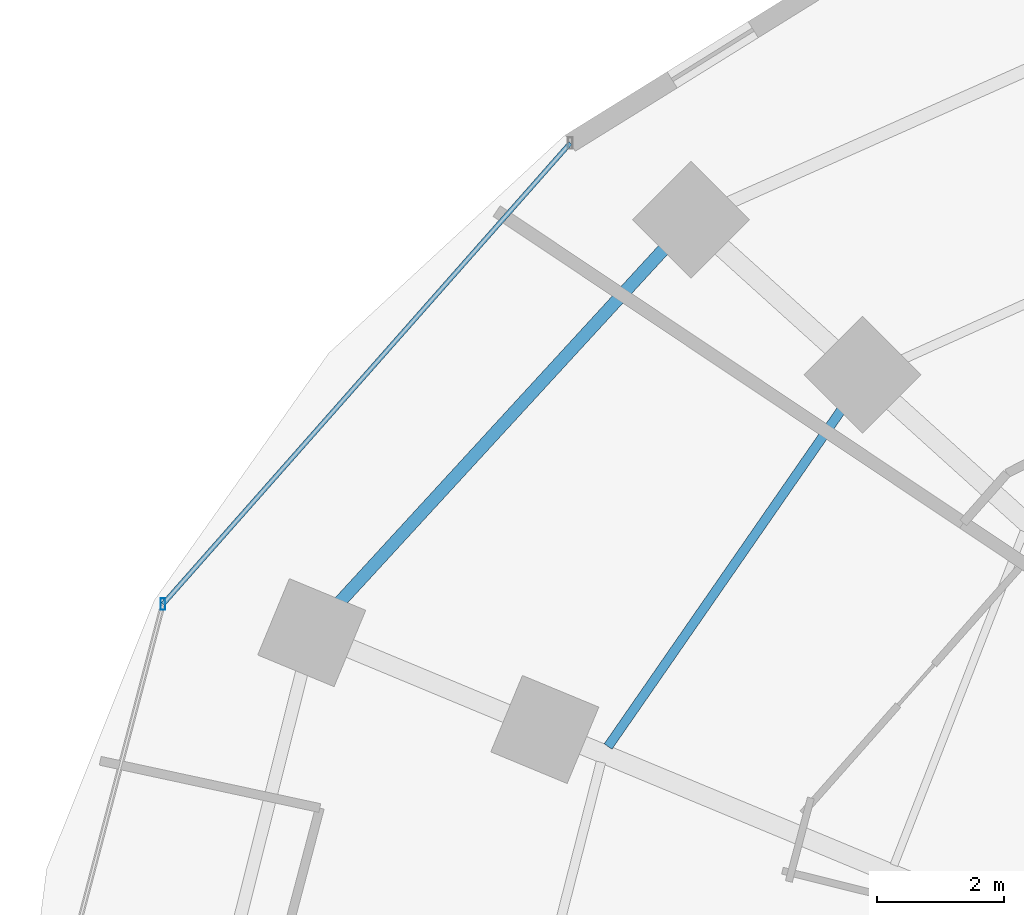
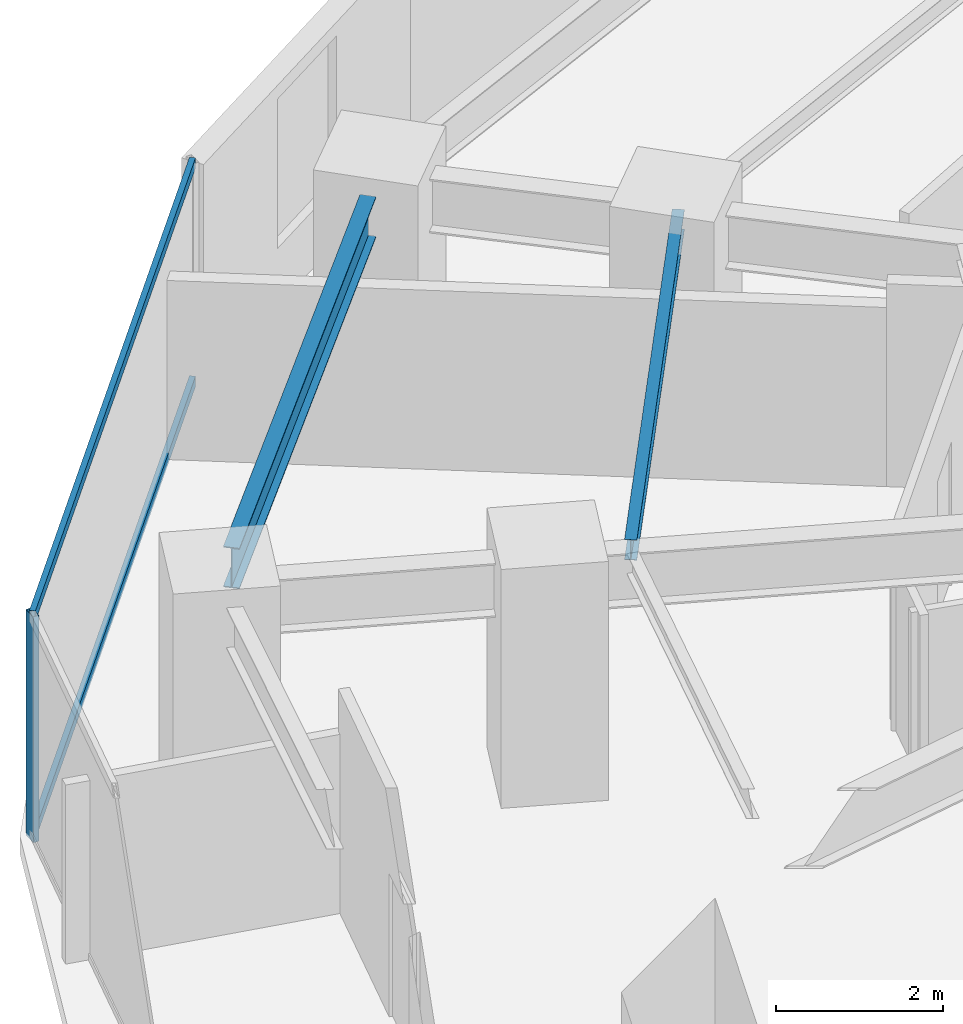
# One storey, part 15 of 30: 3 members, 2 beams, 1 element without a shape of its own.
"""IFC4 building model written with IfcOpenShell, lengths in metres."""

from ifc_helpers import new_model, si_unit, direction, frame, origin, origin_2d, place, context, subcontext, project, spatial, hollow_rectangle, i_section, extrude, material, material_profile, profile_set, type_object, element, aggregate, save


model = new_model("IFC4")

# Units and contexts
model_context = context("Model", 3, precision=1e-05, world=origin(), true_north=direction((0.0, 1.0)))
body_context = subcontext(model_context, "Body", "Model", "MODEL_VIEW")
ifc_project = project(units=[si_unit("LENGTHUNIT", "METRE"), si_unit("AREAUNIT", "SQUARE_METRE"), si_unit("VOLUMEUNIT", "CUBIC_METRE"), si_unit("PLANEANGLEUNIT", "RADIAN"), si_unit("MASSUNIT", "GRAM", prefix="KILO")], contexts=[model_context])

# Site, building, storey
site_placement = place(None, origin())
site = spatial("IfcSite", under=ifc_project, at=site_placement, CompositionType="ELEMENT")
building_placement = place(site_placement, origin())
building = spatial("IfcBuilding", under=site, at=building_placement, Name="Vorneva Point Tower", CompositionType="ELEMENT")
storey_placement = place(building_placement, frame((0.0, 0.0, 41.5)))
storey = spatial("IfcBuildingStorey", under=building, at=storey_placement, Name="L10", CompositionType="ELEMENT", Elevation=41.5)

# Beams
ifc_material_1 = material(Name="Steel S355", Category="steel")
ifc_material_profile_1 = material_profile(ifc_material_1, i_section(OverallWidth=0.14892578125, OverallDepth=0.298095703125, WebThickness=0.005615234375, FlangeThickness=0.008056640625, at=origin_2d()), Name="30B1")
ifc_profile_set_1 = profile_set([ifc_material_profile_1], Name="Steel S355")
beam_type_1 = type_object("IfcBeamType", Name="BM-JST-30B1", PredefinedType="JOIST", material=ifc_profile_set_1)
beam_1_placement = place(storey_placement, frame((21.65380859375, 38.0205078125, 3.091064453125), z_axis=(-0.569656110383, -0.82188315222, 0.0), x_axis=(0.82188315222, -0.569656110383, 0.0)))
element("IfcBeam", 1, at=beam_1_placement, inside=storey, type_object=beam_type_1, Name="L10 Secondary Floor Beam 1.07", PredefinedType="JOIST", context=body_context, shape_type="SweptSolid", body=[
    extrude(i_section(OverallWidth=0.14892578125, OverallDepth=0.298095703125, WebThickness=0.005615234375, FlangeThickness=0.008056640625, at=origin_2d()), origin(), (0.0, 0.0, 1.0), 6.942138671875),
])
ifc_material_profile_2 = material_profile(ifc_material_1, i_section(OverallWidth=0.198974609375, OverallDepth=0.595947265625, WebThickness=0.010009765625, FlangeThickness=0.014892578125, at=origin_2d()), Name="60B1")
ifc_profile_set_2 = profile_set([ifc_material_profile_2], Name="Steel S355")
beam_type_2 = type_object("IfcBeamType", Name="BM-SPN-60B1", PredefinedType="SPANDREL", material=ifc_profile_set_2)
beam_2_placement = place(storey_placement, frame((18.572998046875, 40.132080078125, 2.94189453125), z_axis=(-0.676348412786, -0.736581851882, 0.0), x_axis=(0.736581851882, -0.676348412786, 0.0)))
element("IfcBeam", 2, at=beam_2_placement, inside=storey, type_object=beam_type_2, Name="L10 Perimeter Spandrel Ring Beam 07", PredefinedType="SPANDREL", context=body_context, shape_type="SweptSolid", body=[
    extrude(i_section(OverallWidth=0.198974609375, OverallDepth=0.595947265625, WebThickness=0.010009765625, FlangeThickness=0.014892578125, at=origin_2d()), origin(), (0.0, 0.0, 1.0), 7.547119140625),
])

# Curtain wall, members
ifc_material_2 = material(Name="Pale anodised aluminium", Category="aluminium")
curtain_wall_type = type_object("IfcCurtainWallType", Name="CW-HTL-SYS", PredefinedType="NOTDEFINED", material=ifc_material_2)
curtain_wall_placement = place(storey_placement, origin())
curtain_wall = element("IfcCurtainWall", 3, at=curtain_wall_placement, inside=storey, type_object=curtain_wall_type, Name="L10 Unitised Curtain Wall CW-L10-R03", PredefinedType="NOTDEFINED")
ifc_material_profile_3 = material_profile(ifc_material_2, hollow_rectangle(XDim=0.074951171875, YDim=0.179931640625, WallThickness=0.00390625, at=origin_2d()), Name="AL-MUL 180x75x4")
ifc_profile_set_3 = profile_set([ifc_material_profile_3], Name="Pale anodised aluminium")
member_type_1 = type_object("IfcMemberType", Name="CW-MUL-180", PredefinedType="MULLION", material=ifc_profile_set_3)
member_1_placement = place(storey_placement, frame((10.699462890625, 34.552978515625, -0.0400390625), z_axis=(0.0, 0.0, 1.0), x_axis=(1.0, 0.0, 0.0)))
member_1 = element("IfcMember", 4, at=member_1_placement, type_object=member_type_1, Name="CW-L10-R03 Mullion 02", PredefinedType="MULLION", context=body_context, shape_type="SweptSolid", body=[
    extrude(hollow_rectangle(XDim=0.074951171875, YDim=0.179931640625, WallThickness=0.00390625, at=origin_2d()), origin(), (0.0, 0.0, 1.0), 3.31005859375),
])
ifc_material_profile_4 = material_profile(ifc_material_2, hollow_rectangle(XDim=0.074951171875, YDim=0.14990234375, WallThickness=0.00390625, at=origin_2d()), Name="AL-TRN 150x75x4")
ifc_profile_set_4 = profile_set([ifc_material_profile_4], Name="Pale anodised aluminium")
member_type_2 = type_object("IfcMemberType", Name="CW-TRN-150", PredefinedType="USERDEFINED", material=ifc_profile_set_4)
member_2_placement = place(storey_placement, frame((17.10498046875, 41.8037109375, 0.02001953125), z_axis=(-0.662075539029, -0.749437109182, 0.0), x_axis=(0.749437109182, -0.662075539029, 0.0)))
member_2 = element("IfcMember", 5, at=member_2_placement, type_object=member_type_2, Name="CW-L10-R03 Transom 01.1", ObjectType="TRANSOM", PredefinedType="USERDEFINED", context=body_context, shape_type="SweptSolid", body=[
    extrude(hollow_rectangle(XDim=0.074951171875, YDim=0.14990234375, WallThickness=0.00390625, at=origin_2d()), origin(), (0.0, 0.0, 1.0), 9.6748046875),
])
member_3_placement = place(storey_placement, frame((17.10498046875, 41.8037109375, 3.219970703125), z_axis=(-0.662075539029, -0.749437109182, 0.0), x_axis=(0.749437109182, -0.662075539029, 0.0)))
member_3 = element("IfcMember", 6, at=member_3_placement, type_object=member_type_2, Name="CW-L10-R03 Transom 01.2", ObjectType="TRANSOM", PredefinedType="USERDEFINED", context=body_context, shape_type="SweptSolid", body=[
    extrude(hollow_rectangle(XDim=0.074951171875, YDim=0.14990234375, WallThickness=0.00390625, at=origin_2d()), origin(), (0.0, 0.0, 1.0), 9.6748046875),
])
aggregate(curtain_wall, [member_1, member_2, member_3])

save(model, "model.ifc")
